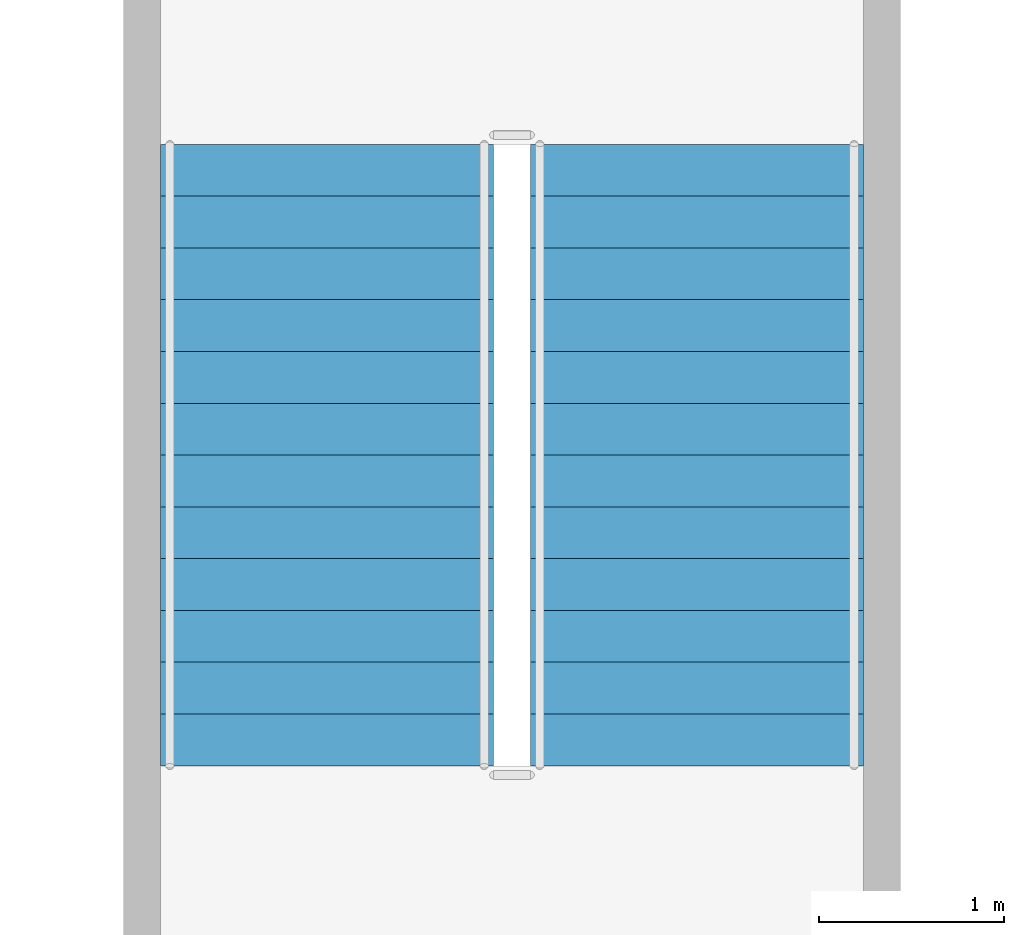
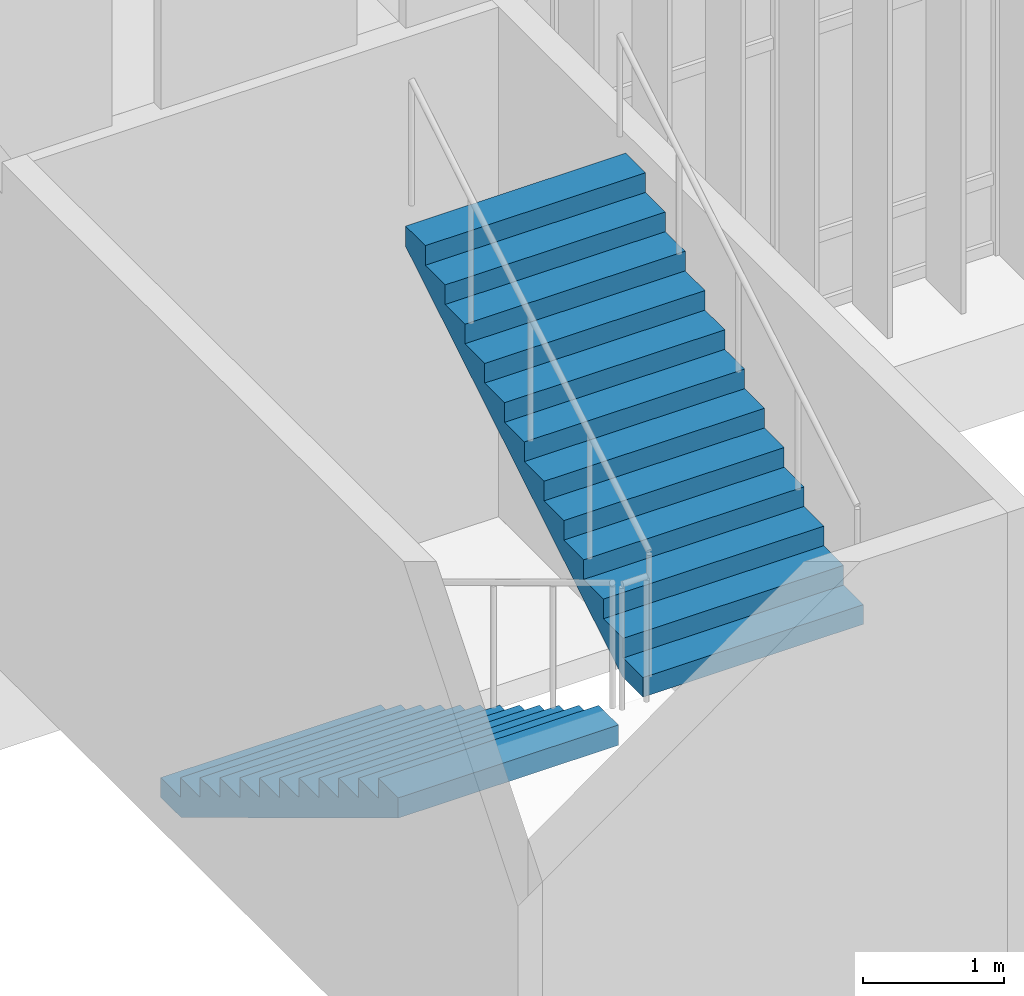
# One storey, part 109 of 169: 2 stair flights, 1 element without a shape of its own.
"""IFC4 building model written with IfcOpenShell, lengths in metres."""

from ifc_helpers import new_model, si_unit, direction, frame, origin, place, context, subcontext, project, spatial, polygons, material, type_object, element, aggregate, save


model = new_model("IFC4")

# Units and contexts
model_context = context("Model", 3, precision=1e-05, world=origin(), true_north=direction((0.0, 1.0)))
body_context = subcontext(model_context, "Body", "Model", "MODEL_VIEW")
ifc_project = project(units=[si_unit("LENGTHUNIT", "METRE"), si_unit("AREAUNIT", "SQUARE_METRE"), si_unit("VOLUMEUNIT", "CUBIC_METRE"), si_unit("PLANEANGLEUNIT", "RADIAN"), si_unit("MASSUNIT", "GRAM", prefix="KILO")], contexts=[model_context])

# Site, building, storey
site_placement = place(None, origin())
site = spatial("IfcSite", under=ifc_project, at=site_placement, CompositionType="ELEMENT")
building_placement = place(site_placement, origin())
building = spatial("IfcBuilding", under=site, at=building_placement, Name="Verrick Yard Athletic Hall", CompositionType="ELEMENT")
storey_placement = place(building_placement, frame((0.0, 0.0, 4.39990234375)))
storey = spatial("IfcBuildingStorey", under=building, at=storey_placement, Name="L01", CompositionType="ELEMENT", Elevation=4.39990234375)

# Stair, stair flights
ifc_material = material(Name="Concrete 35 MPa", Category="concrete")
stair_type = type_object("IfcStairType", Name="Stair ST3 1800 wide 26 risers", PredefinedType="HALF_TURN_STAIR", material=ifc_material)
stair_placement = place(storey_placement, origin())
stair = element("IfcStair", 1, at=stair_placement, inside=storey, type_object=stair_type, Name="South deck escape 2 stair L01", PredefinedType="HALF_TURN_STAIR")
stair_flight_type = type_object("IfcStairFlightType", Name="Stair flight SF3 1800 wide 13 risers", PredefinedType="STRAIGHT", material=ifc_material)
stair_flight_1_placement = place(storey_placement, frame((139.800048828125, 16.0, 0.0), z_axis=(0.0, 0.0, 1.0), x_axis=(0.0, -1.0, 0.0)))
stair_flight_1 = element("IfcStairFlight", 2, at=stair_flight_1_placement, type_object=stair_flight_type, Name="ST3 flight 1", NumberOfRisers=13, NumberOfTreads=12, PredefinedType="STRAIGHT", RiserHeight=0.169230769, TreadLength=0.28, context=body_context, shape_type="Tessellation", body=[
    polygons([(0.28980123017674275, -0.89990234375, 0.0), (3.3600000000000003, -0.89990234375, 1.855614638571585), (3.3600000000000003, -0.89990234375, 2.030769228), (3.08, -0.89990234375, 2.030769228), (3.08, -0.89990234375, 1.8615384590000001), (2.8000000000000003, -0.89990234375, 1.8615384590000001), (2.8000000000000003, -0.89990234375, 1.69230769), (2.5200000000000005, -0.89990234375, 1.69230769), (2.5200000000000005, -0.89990234375, 1.523076921), (2.24, -0.89990234375, 1.523076921), (2.24, -0.89990234375, 1.353846152), (1.9600000000000002, -0.89990234375, 1.353846152), (1.9600000000000002, -0.89990234375, 1.1846153830000001), (1.6800000000000002, -0.89990234375, 1.1846153830000001), (1.6800000000000002, -0.89990234375, 1.015384614), (1.4000000000000001, -0.89990234375, 1.015384614), (1.4000000000000001, -0.89990234375, 0.846153845), (1.12, -0.89990234375, 0.846153845), (1.12, -0.89990234375, 0.676923076), (0.8400000000000001, -0.89990234375, 0.676923076), (0.8400000000000001, -0.89990234375, 0.507692307), (0.56, -0.89990234375, 0.507692307), (0.56, -0.89990234375, 0.338461538), (0.28, -0.89990234375, 0.338461538), (0.28, -0.89990234375, 0.169230769), (0.0, -0.89990234375, 0.169230769), (0.0, -0.89990234375, 0.0), (0.28980123017674275, -0.179931640625, 0.0), (3.3600000000000003, -0.179931640625, 1.855614638571585), (3.3600000000000003, -0.179931640625, 2.030769228), (3.08, -0.179931640625, 2.030769228), (3.08, -0.179931640625, 1.8615384590000001), (2.8000000000000003, -0.179931640625, 1.8615384590000001), (2.8000000000000003, -0.179931640625, 1.69230769), (2.5200000000000005, -0.179931640625, 1.69230769), (2.5200000000000005, -0.179931640625, 1.523076921), (2.24, -0.179931640625, 1.523076921), (2.24, -0.179931640625, 1.353846152), (1.9600000000000002, -0.179931640625, 1.353846152), (1.9600000000000002, -0.179931640625, 1.1846153830000001), (1.6800000000000002, -0.179931640625, 1.1846153830000001), (1.6800000000000002, -0.179931640625, 1.015384614), (1.4000000000000001, -0.179931640625, 1.015384614), (1.4000000000000001, -0.179931640625, 0.846153845), (1.12, -0.179931640625, 0.846153845), (1.12, -0.179931640625, 0.676923076), (0.8400000000000001, -0.179931640625, 0.676923076), (0.8400000000000001, -0.179931640625, 0.507692307), (0.56, -0.179931640625, 0.507692307), (0.56, -0.179931640625, 0.338461538), (0.28, -0.179931640625, 0.338461538), (0.28, -0.179931640625, 0.169230769), (0.0, -0.179931640625, 0.169230769), (0.0, -0.179931640625, 0.0), (0.28980123017674275, 0.179931640625, 0.0), (3.3600000000000003, 0.179931640625, 1.855614638571585), (3.3600000000000003, 0.179931640625, 2.030769228), (3.08, 0.179931640625, 2.030769228), (3.08, 0.179931640625, 1.8615384590000001), (2.8000000000000003, 0.179931640625, 1.8615384590000001), (2.8000000000000003, 0.179931640625, 1.69230769), (2.5200000000000005, 0.179931640625, 1.69230769), (2.5200000000000005, 0.179931640625, 1.523076921), (2.24, 0.179931640625, 1.523076921), (2.24, 0.179931640625, 1.353846152), (1.9600000000000002, 0.179931640625, 1.353846152), (1.9600000000000002, 0.179931640625, 1.1846153830000001), (1.6800000000000002, 0.179931640625, 1.1846153830000001), (1.6800000000000002, 0.179931640625, 1.015384614), (1.4000000000000001, 0.179931640625, 1.015384614), (1.4000000000000001, 0.179931640625, 0.846153845), (1.12, 0.179931640625, 0.846153845), (1.12, 0.179931640625, 0.676923076), (0.8400000000000001, 0.179931640625, 0.676923076), (0.8400000000000001, 0.179931640625, 0.507692307), (0.56, 0.179931640625, 0.507692307), (0.56, 0.179931640625, 0.338461538), (0.28, 0.179931640625, 0.338461538), (0.28, 0.179931640625, 0.169230769), (0.0, 0.179931640625, 0.169230769), (0.0, 0.179931640625, 0.0), (0.28980123017674275, 0.89990234375, 0.0), (3.3600000000000003, 0.89990234375, 1.855614638571585), (3.3600000000000003, 0.89990234375, 2.030769228), (3.08, 0.89990234375, 2.030769228), (3.08, 0.89990234375, 1.8615384590000001), (2.8000000000000003, 0.89990234375, 1.8615384590000001), (2.8000000000000003, 0.89990234375, 1.69230769), (2.5200000000000005, 0.89990234375, 1.69230769), (2.5200000000000005, 0.89990234375, 1.523076921), (2.24, 0.89990234375, 1.523076921), (2.24, 0.89990234375, 1.353846152), (1.9600000000000002, 0.89990234375, 1.353846152), (1.9600000000000002, 0.89990234375, 1.1846153830000001), (1.6800000000000002, 0.89990234375, 1.1846153830000001), (1.6800000000000002, 0.89990234375, 1.015384614), (1.4000000000000001, 0.89990234375, 1.015384614), (1.4000000000000001, 0.89990234375, 0.846153845), (1.12, 0.89990234375, 0.846153845), (1.12, 0.89990234375, 0.676923076), (0.8400000000000001, 0.89990234375, 0.676923076), (0.8400000000000001, 0.89990234375, 0.507692307), (0.56, 0.89990234375, 0.507692307), (0.56, 0.89990234375, 0.338461538), (0.28, 0.89990234375, 0.338461538), (0.28, 0.89990234375, 0.169230769), (0.0, 0.89990234375, 0.169230769), (0.0, 0.89990234375, 0.0)], [[[1, 2, 3, 4, 5, 6, 7, 8, 9, 10, 11, 12, 13, 14, 15, 16, 17, 18, 19, 20, 21, 22, 23, 24, 25, 26, 27]], [[108, 107, 106, 105, 104, 103, 102, 101, 100, 99, 98, 97, 96, 95, 94, 93, 92, 91, 90, 89, 88, 87, 86, 85, 84, 83, 82]], [[1, 28, 29, 2]], [[2, 29, 30, 3]], [[3, 30, 31, 4]], [[4, 31, 32, 5]], [[5, 32, 33, 6]], [[6, 33, 34, 7]], [[7, 34, 35, 8]], [[8, 35, 36, 9]], [[9, 36, 37, 10]], [[10, 37, 38, 11]], [[11, 38, 39, 12]], [[12, 39, 40, 13]], [[13, 40, 41, 14]], [[14, 41, 42, 15]], [[15, 42, 43, 16]], [[16, 43, 44, 17]], [[17, 44, 45, 18]], [[18, 45, 46, 19]], [[19, 46, 47, 20]], [[20, 47, 48, 21]], [[21, 48, 49, 22]], [[22, 49, 50, 23]], [[23, 50, 51, 24]], [[24, 51, 52, 25]], [[25, 52, 53, 26]], [[26, 53, 54, 27]], [[27, 54, 28, 1]], [[28, 55, 56, 29]], [[29, 56, 57, 30]], [[30, 57, 58, 31]], [[31, 58, 59, 32]], [[32, 59, 60, 33]], [[33, 60, 61, 34]], [[34, 61, 62, 35]], [[35, 62, 63, 36]], [[36, 63, 64, 37]], [[37, 64, 65, 38]], [[38, 65, 66, 39]], [[39, 66, 67, 40]], [[40, 67, 68, 41]], [[41, 68, 69, 42]], [[42, 69, 70, 43]], [[43, 70, 71, 44]], [[44, 71, 72, 45]], [[45, 72, 73, 46]], [[46, 73, 74, 47]], [[47, 74, 75, 48]], [[48, 75, 76, 49]], [[49, 76, 77, 50]], [[50, 77, 78, 51]], [[51, 78, 79, 52]], [[52, 79, 80, 53]], [[53, 80, 81, 54]], [[54, 81, 55, 28]], [[55, 82, 83, 56]], [[56, 83, 84, 57]], [[57, 84, 85, 58]], [[58, 85, 86, 59]], [[59, 86, 87, 60]], [[60, 87, 88, 61]], [[61, 88, 89, 62]], [[62, 89, 90, 63]], [[63, 90, 91, 64]], [[64, 91, 92, 65]], [[65, 92, 93, 66]], [[66, 93, 94, 67]], [[67, 94, 95, 68]], [[68, 95, 96, 69]], [[69, 96, 97, 70]], [[70, 97, 98, 71]], [[71, 98, 99, 72]], [[72, 99, 100, 73]], [[73, 100, 101, 74]], [[74, 101, 102, 75]], [[75, 102, 103, 76]], [[76, 103, 104, 77]], [[77, 104, 105, 78]], [[78, 105, 106, 79]], [[79, 106, 107, 80]], [[80, 107, 108, 81]], [[81, 108, 82, 55]]], closed=True),
])
stair_flight_2_placement = place(storey_placement, frame((141.800048828125, 12.639892578125, 2.2001953125), z_axis=(0.0, 0.0, 1.0), x_axis=(0.0, 1.0, 0.0)))
stair_flight_2 = element("IfcStairFlight", 3, at=stair_flight_2_placement, type_object=stair_flight_type, Name="ST3 flight 2", NumberOfRisers=13, NumberOfTreads=12, PredefinedType="STRAIGHT", RiserHeight=0.169230769, TreadLength=0.28, context=body_context, shape_type="Tessellation", body=[
    polygons([(0.28980123017674275, -0.89990234375, 0.0), (3.3600000000000003, -0.89990234375, 1.855614638571585), (3.3600000000000003, -0.89990234375, 2.030769228), (3.08, -0.89990234375, 2.030769228), (3.08, -0.89990234375, 1.8615384590000001), (2.8000000000000003, -0.89990234375, 1.8615384590000001), (2.8000000000000003, -0.89990234375, 1.69230769), (2.5200000000000005, -0.89990234375, 1.69230769), (2.5200000000000005, -0.89990234375, 1.523076921), (2.24, -0.89990234375, 1.523076921), (2.24, -0.89990234375, 1.353846152), (1.9600000000000002, -0.89990234375, 1.353846152), (1.9600000000000002, -0.89990234375, 1.1846153830000001), (1.6800000000000002, -0.89990234375, 1.1846153830000001), (1.6800000000000002, -0.89990234375, 1.015384614), (1.4000000000000001, -0.89990234375, 1.015384614), (1.4000000000000001, -0.89990234375, 0.846153845), (1.12, -0.89990234375, 0.846153845), (1.12, -0.89990234375, 0.676923076), (0.8400000000000001, -0.89990234375, 0.676923076), (0.8400000000000001, -0.89990234375, 0.507692307), (0.56, -0.89990234375, 0.507692307), (0.56, -0.89990234375, 0.338461538), (0.28, -0.89990234375, 0.338461538), (0.28, -0.89990234375, 0.169230769), (0.0, -0.89990234375, 0.169230769), (0.0, -0.89990234375, 0.0), (0.28980123017674275, -0.179931640625, 0.0), (3.3600000000000003, -0.179931640625, 1.855614638571585), (3.3600000000000003, -0.179931640625, 2.030769228), (3.08, -0.179931640625, 2.030769228), (3.08, -0.179931640625, 1.8615384590000001), (2.8000000000000003, -0.179931640625, 1.8615384590000001), (2.8000000000000003, -0.179931640625, 1.69230769), (2.5200000000000005, -0.179931640625, 1.69230769), (2.5200000000000005, -0.179931640625, 1.523076921), (2.24, -0.179931640625, 1.523076921), (2.24, -0.179931640625, 1.353846152), (1.9600000000000002, -0.179931640625, 1.353846152), (1.9600000000000002, -0.179931640625, 1.1846153830000001), (1.6800000000000002, -0.179931640625, 1.1846153830000001), (1.6800000000000002, -0.179931640625, 1.015384614), (1.4000000000000001, -0.179931640625, 1.015384614), (1.4000000000000001, -0.179931640625, 0.846153845), (1.12, -0.179931640625, 0.846153845), (1.12, -0.179931640625, 0.676923076), (0.8400000000000001, -0.179931640625, 0.676923076), (0.8400000000000001, -0.179931640625, 0.507692307), (0.56, -0.179931640625, 0.507692307), (0.56, -0.179931640625, 0.338461538), (0.28, -0.179931640625, 0.338461538), (0.28, -0.179931640625, 0.169230769), (0.0, -0.179931640625, 0.169230769), (0.0, -0.179931640625, 0.0), (0.28980123017674275, 0.179931640625, 0.0), (3.3600000000000003, 0.179931640625, 1.855614638571585), (3.3600000000000003, 0.179931640625, 2.030769228), (3.08, 0.179931640625, 2.030769228), (3.08, 0.179931640625, 1.8615384590000001), (2.8000000000000003, 0.179931640625, 1.8615384590000001), (2.8000000000000003, 0.179931640625, 1.69230769), (2.5200000000000005, 0.179931640625, 1.69230769), (2.5200000000000005, 0.179931640625, 1.523076921), (2.24, 0.179931640625, 1.523076921), (2.24, 0.179931640625, 1.353846152), (1.9600000000000002, 0.179931640625, 1.353846152), (1.9600000000000002, 0.179931640625, 1.1846153830000001), (1.6800000000000002, 0.179931640625, 1.1846153830000001), (1.6800000000000002, 0.179931640625, 1.015384614), (1.4000000000000001, 0.179931640625, 1.015384614), (1.4000000000000001, 0.179931640625, 0.846153845), (1.12, 0.179931640625, 0.846153845), (1.12, 0.179931640625, 0.676923076), (0.8400000000000001, 0.179931640625, 0.676923076), (0.8400000000000001, 0.179931640625, 0.507692307), (0.56, 0.179931640625, 0.507692307), (0.56, 0.179931640625, 0.338461538), (0.28, 0.179931640625, 0.338461538), (0.28, 0.179931640625, 0.169230769), (0.0, 0.179931640625, 0.169230769), (0.0, 0.179931640625, 0.0), (0.28980123017674275, 0.89990234375, 0.0), (3.3600000000000003, 0.89990234375, 1.855614638571585), (3.3600000000000003, 0.89990234375, 2.030769228), (3.08, 0.89990234375, 2.030769228), (3.08, 0.89990234375, 1.8615384590000001), (2.8000000000000003, 0.89990234375, 1.8615384590000001), (2.8000000000000003, 0.89990234375, 1.69230769), (2.5200000000000005, 0.89990234375, 1.69230769), (2.5200000000000005, 0.89990234375, 1.523076921), (2.24, 0.89990234375, 1.523076921), (2.24, 0.89990234375, 1.353846152), (1.9600000000000002, 0.89990234375, 1.353846152), (1.9600000000000002, 0.89990234375, 1.1846153830000001), (1.6800000000000002, 0.89990234375, 1.1846153830000001), (1.6800000000000002, 0.89990234375, 1.015384614), (1.4000000000000001, 0.89990234375, 1.015384614), (1.4000000000000001, 0.89990234375, 0.846153845), (1.12, 0.89990234375, 0.846153845), (1.12, 0.89990234375, 0.676923076), (0.8400000000000001, 0.89990234375, 0.676923076), (0.8400000000000001, 0.89990234375, 0.507692307), (0.56, 0.89990234375, 0.507692307), (0.56, 0.89990234375, 0.338461538), (0.28, 0.89990234375, 0.338461538), (0.28, 0.89990234375, 0.169230769), (0.0, 0.89990234375, 0.169230769), (0.0, 0.89990234375, 0.0)], [[[1, 2, 3, 4, 5, 6, 7, 8, 9, 10, 11, 12, 13, 14, 15, 16, 17, 18, 19, 20, 21, 22, 23, 24, 25, 26, 27]], [[108, 107, 106, 105, 104, 103, 102, 101, 100, 99, 98, 97, 96, 95, 94, 93, 92, 91, 90, 89, 88, 87, 86, 85, 84, 83, 82]], [[1, 28, 29, 2]], [[2, 29, 30, 3]], [[3, 30, 31, 4]], [[4, 31, 32, 5]], [[5, 32, 33, 6]], [[6, 33, 34, 7]], [[7, 34, 35, 8]], [[8, 35, 36, 9]], [[9, 36, 37, 10]], [[10, 37, 38, 11]], [[11, 38, 39, 12]], [[12, 39, 40, 13]], [[13, 40, 41, 14]], [[14, 41, 42, 15]], [[15, 42, 43, 16]], [[16, 43, 44, 17]], [[17, 44, 45, 18]], [[18, 45, 46, 19]], [[19, 46, 47, 20]], [[20, 47, 48, 21]], [[21, 48, 49, 22]], [[22, 49, 50, 23]], [[23, 50, 51, 24]], [[24, 51, 52, 25]], [[25, 52, 53, 26]], [[26, 53, 54, 27]], [[27, 54, 28, 1]], [[28, 55, 56, 29]], [[29, 56, 57, 30]], [[30, 57, 58, 31]], [[31, 58, 59, 32]], [[32, 59, 60, 33]], [[33, 60, 61, 34]], [[34, 61, 62, 35]], [[35, 62, 63, 36]], [[36, 63, 64, 37]], [[37, 64, 65, 38]], [[38, 65, 66, 39]], [[39, 66, 67, 40]], [[40, 67, 68, 41]], [[41, 68, 69, 42]], [[42, 69, 70, 43]], [[43, 70, 71, 44]], [[44, 71, 72, 45]], [[45, 72, 73, 46]], [[46, 73, 74, 47]], [[47, 74, 75, 48]], [[48, 75, 76, 49]], [[49, 76, 77, 50]], [[50, 77, 78, 51]], [[51, 78, 79, 52]], [[52, 79, 80, 53]], [[53, 80, 81, 54]], [[54, 81, 55, 28]], [[55, 82, 83, 56]], [[56, 83, 84, 57]], [[57, 84, 85, 58]], [[58, 85, 86, 59]], [[59, 86, 87, 60]], [[60, 87, 88, 61]], [[61, 88, 89, 62]], [[62, 89, 90, 63]], [[63, 90, 91, 64]], [[64, 91, 92, 65]], [[65, 92, 93, 66]], [[66, 93, 94, 67]], [[67, 94, 95, 68]], [[68, 95, 96, 69]], [[69, 96, 97, 70]], [[70, 97, 98, 71]], [[71, 98, 99, 72]], [[72, 99, 100, 73]], [[73, 100, 101, 74]], [[74, 101, 102, 75]], [[75, 102, 103, 76]], [[76, 103, 104, 77]], [[77, 104, 105, 78]], [[78, 105, 106, 79]], [[79, 106, 107, 80]], [[80, 107, 108, 81]], [[81, 108, 82, 55]]], closed=True),
])
aggregate(stair, [stair_flight_1, stair_flight_2])

save(model, "model.ifc")
